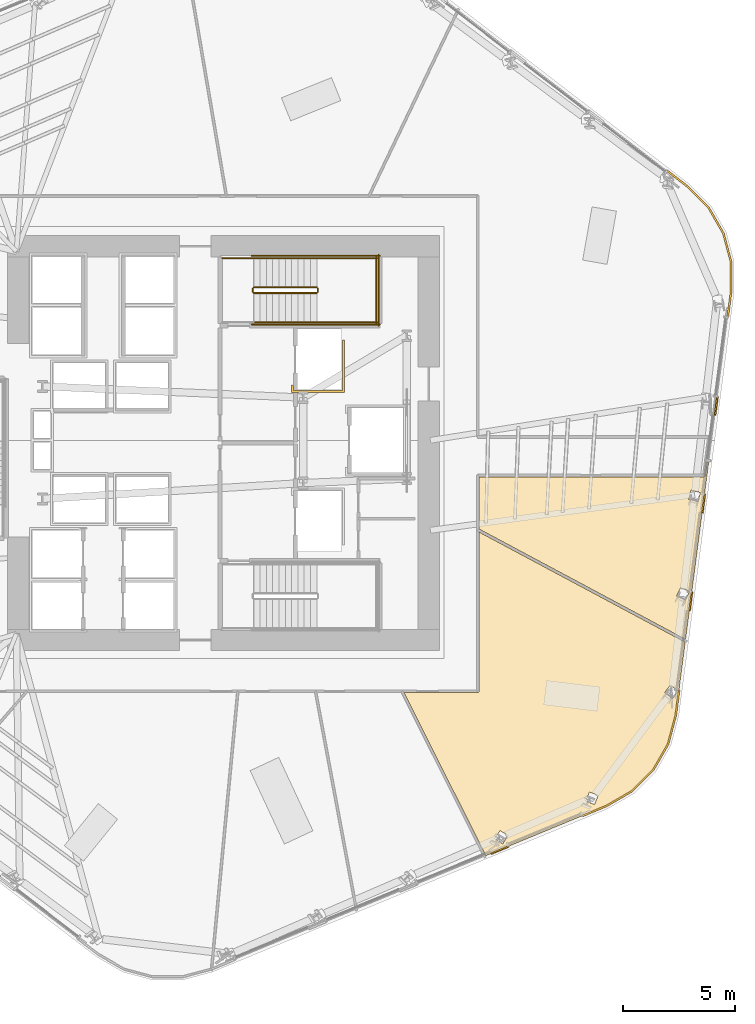
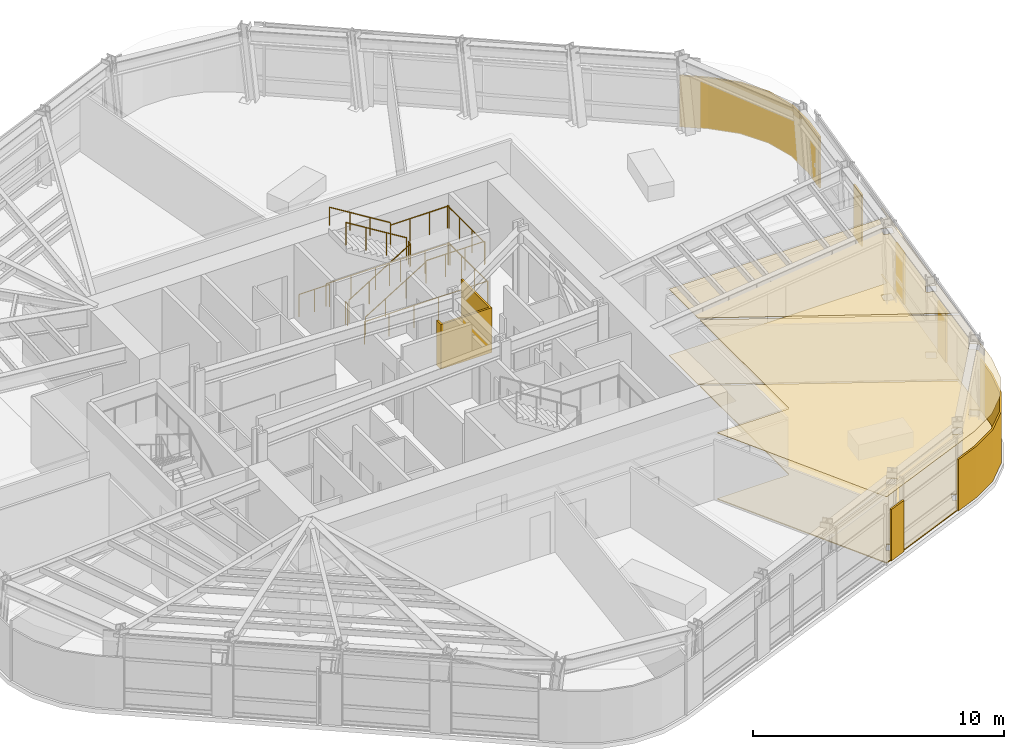
# One storey, part 16 of 18: 13 railings, 11 coverings.
"""IFC4 building model written with IfcOpenShell, lengths in metres."""

from ifc_helpers import new_model, si_unit, direction, frame, origin, origin_2d, place, context, subcontext, project, spatial, polyline, circle, outline, extrude, material, layer, layer_set, type_object, element, save


model = new_model("IFC4")

# Units and contexts
model_context = context("Model", 3, precision=1e-05, world=origin(), true_north=direction((0.0, 1.0)))
body_context = subcontext(model_context, "Body", "Model", "MODEL_VIEW")
ifc_project = project(units=[si_unit("LENGTHUNIT", "METRE"), si_unit("AREAUNIT", "SQUARE_METRE"), si_unit("VOLUMEUNIT", "CUBIC_METRE"), si_unit("PLANEANGLEUNIT", "RADIAN"), si_unit("MASSUNIT", "GRAM", prefix="KILO")], contexts=[model_context])

# Site, building, storey
site_placement = place(None, origin())
site = spatial("IfcSite", under=ifc_project, at=site_placement, CompositionType="ELEMENT")
building_placement = place(site_placement, origin())
building = spatial("IfcBuilding", under=site, at=building_placement, Name="Valkerne Bourse Tower", CompositionType="ELEMENT")
storey_placement = place(building_placement, frame((0.0, 0.0, 120.0)))
storey = spatial("IfcBuildingStorey", under=building, at=storey_placement, Name="L30", CompositionType="ELEMENT", Elevation=120.0)

# Coverings
ifc_material_1 = material(Name="Mineral Fiber Acoustic Ceiling Tile", Category="acoustic")
ifc_layer_1 = layer(ifc_material_1, 0.02490234375)
ifc_layer_set_1 = layer_set([ifc_layer_1], Name="Mineral Fiber Acoustic Ceiling Tile")
covering_type_1 = type_object("IfcCoveringType", Name="COV-CEIL-ACT", PredefinedType="CEILING", material=ifc_layer_set_1)
covering_1_placement = place(storey_placement, frame((0.0, 0.0, 3.22998046875)))
element("IfcCovering", 1, at=covering_1_placement, inside=storey, type_object=covering_type_1, Name="L30 Suspended Ceiling 04", PredefinedType="CEILING", context=body_context, shape_type="SweptSolid", body=[
    extrude(outline(polyline([(58.1689453125, 25.381103515625), (68.164306640625, 25.381103515625), (68.205810546875, 25.398193359375), (68.2275390625, 25.436767578125), (68.306640625, 26.04150390625), (68.373291015625, 26.03466796875), (67.343994140625, 18.15185546875), (58.1689453125, 23.05419921875), (58.1689453125, 25.381103515625)]), holes=[polyline([(67.5146484375, 20.267822265625), (67.127197265625, 20.458984375), (66.943115234375, 20.0869140625), (66.94189453125, 20.083984375), (67.32958984375, 19.892578125), (67.513671875, 20.264892578125), (67.5146484375, 20.267822265625)]), polyline([(68.00341796875, 24.673828125), (68.00390625, 24.6767578125), (67.58544921875, 24.78515625), (67.480712890625, 24.38330078125), (67.48046875, 24.380126953125), (67.898681640625, 24.271728515625), (68.00341796875, 24.673828125)])]), origin(), (0.0, 0.0, 1.0), 0.02490234375),
])
covering_2_placement = place(storey_placement, frame((0.0, 0.0, 3.22998046875)))
element("IfcCovering", 2, at=covering_2_placement, inside=storey, type_object=covering_type_1, Name="L30 Suspended Ceiling 07", PredefinedType="CEILING", context=body_context, shape_type="SweptSolid", body=[
    extrude(outline(polyline([(64.9658203125, 11.411865234375), (63.814697265625, 10.747314453125), (58.46240234375, 8.537109375), (54.8349609375, 15.781005859375), (58.1005859375, 15.781005859375), (58.135986328125, 15.791015625), (58.16259765625, 15.82080078125), (58.1689453125, 15.849609375), (58.1689453125, 22.92041015625), (67.32763671875, 18.02685546875), (66.902587890625, 14.771484375), (66.55859375, 13.48779296875), (65.89892578125, 12.344970703125), (64.9658203125, 11.411865234375)]), holes=[polyline([(59.216796875, 9.06591796875), (59.44970703125, 9.42822265625), (59.10009765625, 9.654541015625), (59.097412109375, 9.65283203125), (58.864501953125, 9.29052734375), (59.21435546875, 9.064208984375), (59.216796875, 9.06591796875)]), polyline([(63.4580078125, 11.21337890625), (63.072021484375, 11.3701171875), (63.069580078125, 11.36767578125), (62.908935546875, 10.96826171875), (63.295166015625, 10.8115234375), (63.29736328125, 10.81396484375), (63.4580078125, 11.21337890625)]), polyline([(67.01318359375, 15.859619140625), (66.66845703125, 16.1201171875), (66.417724609375, 15.789306640625), (66.416015625, 15.78662109375), (66.760986328125, 15.52587890625), (67.01171875, 15.856689453125), (67.01318359375, 15.859619140625)])]), origin(), (0.0, 0.0, 1.0), 0.02490234375),
])
ifc_material_2 = material(Name="Bronze Anodised Aluminium AA 6063-T6", Category="aluminium")
ifc_layer_2 = layer(ifc_material_2, 0.06005859375)
ifc_layer_set_2 = layer_set([ifc_layer_2], Name="Bronze Anodised Aluminium AA 6063-T6")
covering_type_2 = type_object("IfcCoveringType", Name="COV-CRN-ALUM", PredefinedType="CLADDING", material=ifc_layer_set_2)
covering_3_placement = place(storey_placement, origin())
element("IfcCovering", 3, at=covering_3_placement, inside=storey, type_object=covering_type_2, Name="L30 Wind-Shaped Corner Aluminium Cladding 01", PredefinedType="CLADDING", context=body_context, shape_type="SweptSolid", body=[
    extrude(outline(polyline([(66.599609375, 13.470703125), (65.93408203125, 12.31787109375), (64.992919921875, 11.376708984375), (63.834228515625, 10.707763671875), (62.764892578125, 10.26611328125), (62.734375, 10.340087890625), (63.798828125, 10.77978515625), (64.943603515625, 11.440673828125), (65.8701171875, 12.366943359375), (66.525146484375, 13.501708984375), (66.8671875, 14.7783203125), (67.016357421875, 15.92041015625), (67.095703125, 15.909912109375), (66.94580078125, 14.7626953125), (66.599609375, 13.470703125)])), origin(), (0.0, 0.0, 1.0), 2.5),
])
covering_4_placement = place(storey_placement, origin())
element("IfcCovering", 4, at=covering_4_placement, inside=storey, type_object=covering_type_2, Name="L30 Wind-Shaped Corner Aluminium Cladding 02", PredefinedType="CLADDING", context=body_context, shape_type="SweptSolid", body=[
    extrude(outline(polyline([(58.7138671875, 8.59326171875), (58.683349609375, 8.6669921875), (59.459716796875, 8.98779296875), (59.490234375, 8.913818359375), (58.7138671875, 8.59326171875)])), origin(), (0.0, 0.0, 1.0), 2.5),
])
covering_5_placement = place(storey_placement, origin())
element("IfcCovering", 5, at=covering_5_placement, inside=storey, type_object=covering_type_2, Name="L30 Wind-Shaped Corner Aluminium Cladding 21", PredefinedType="CLADDING", context=body_context, shape_type="SweptSolid", body=[
    extrude(outline(polyline([(67.44921875, 38.3193359375), (68.39501953125, 37.373291015625), (69.060546875, 36.220703125), (69.405029296875, 34.934814453125), (69.405029296875, 33.596923828125), (69.2568359375, 32.46142578125), (69.177490234375, 32.471923828125), (69.3251953125, 33.602294921875), (69.3251953125, 34.92431640625), (68.986083984375, 36.189697265625), (68.3310546875, 37.32421875), (67.396240234375, 38.259033203125), (66.49267578125, 38.9541015625), (66.541259765625, 39.017578125), (67.44921875, 38.3193359375)])), origin(), (0.0, 0.0, 1.0), 2.5),
])
covering_6_placement = place(storey_placement, origin())
element("IfcCovering", 6, at=covering_6_placement, inside=storey, type_object=covering_type_2, Name="L30 Wind-Shaped Corner Aluminium Cladding 22", PredefinedType="CLADDING", context=body_context, shape_type="SweptSolid", body=[
    extrude(outline(polyline([(68.689453125, 28.115478515625), (68.610107421875, 28.125732421875), (68.71875, 28.958740234375), (68.798095703125, 28.9482421875), (68.689453125, 28.115478515625)])), origin(), (0.0, 0.0, 1.0), 2.5),
])
covering_7_placement = place(storey_placement, origin())
element("IfcCovering", 7, at=covering_7_placement, inside=storey, type_object=covering_type_2, Name="L30 Wind-Shaped Corner Aluminium Cladding 23", PredefinedType="CLADDING", context=body_context, shape_type="SweptSolid", body=[
    extrude(outline(polyline([(68.121826171875, 23.769287109375), (68.04248046875, 23.77978515625), (68.1513671875, 24.612548828125), (68.230712890625, 24.602294921875), (68.121826171875, 23.769287109375)])), origin(), (0.0, 0.0, 1.0), 2.5),
])
covering_8_placement = place(storey_placement, origin())
element("IfcCovering", 8, at=covering_8_placement, inside=storey, type_object=covering_type_2, Name="L30 Wind-Shaped Corner Aluminium Cladding 24", PredefinedType="CLADDING", context=body_context, shape_type="SweptSolid", body=[
    extrude(outline(polyline([(67.554443359375, 19.423095703125), (67.47509765625, 19.43359375), (67.583740234375, 20.2666015625), (67.6630859375, 20.256103515625), (67.554443359375, 19.423095703125)])), origin(), (0.0, 0.0, 1.0), 2.5),
])
ifc_material_3 = material(Name="Galvanised Painted Steel", Category="steel")
ifc_layer_3 = layer(ifc_material_3, 0.044921875)
ifc_layer_set_3 = layer_set([ifc_layer_3], Name="Galvanised Painted Steel")
covering_type_3 = type_object("IfcCoveringType", Name="COV-FLR-RAF", PredefinedType="FLOORING", material=ifc_layer_set_3)
covering_9_placement = place(storey_placement, origin())
element("IfcCovering", 9, at=covering_9_placement, inside=storey, type_object=covering_type_3, Name="L30 Floor Finish 07", PredefinedType="FLOORING", context=body_context, shape_type="SweptSolid", body=[
    extrude(outline(polyline([(64.9658203125, 11.411865234375), (63.814697265625, 10.747314453125), (58.46240234375, 8.537109375), (54.8349609375, 15.781005859375), (58.1005859375, 15.781005859375), (58.135986328125, 15.791015625), (58.16259765625, 15.82080078125), (58.1689453125, 15.849609375), (58.1689453125, 22.92041015625), (67.32763671875, 18.02685546875), (66.902587890625, 14.771484375), (66.55859375, 13.48779296875), (65.89892578125, 12.344970703125), (64.9658203125, 11.411865234375)]), holes=[polyline([(59.216796875, 9.06591796875), (59.44970703125, 9.42822265625), (59.10009765625, 9.654541015625), (59.097412109375, 9.65283203125), (58.864501953125, 9.29052734375), (59.21435546875, 9.064208984375), (59.216796875, 9.06591796875)]), polyline([(63.4580078125, 11.21337890625), (63.072021484375, 11.3701171875), (63.069580078125, 11.36767578125), (62.908935546875, 10.96826171875), (63.295166015625, 10.8115234375), (63.29736328125, 10.81396484375), (63.4580078125, 11.21337890625)]), polyline([(67.01318359375, 15.859619140625), (66.66845703125, 16.1201171875), (66.417724609375, 15.789306640625), (66.416015625, 15.78662109375), (66.760986328125, 15.52587890625), (67.01171875, 15.856689453125), (67.01318359375, 15.859619140625)])]), origin(), (0.0, 0.0, 1.0), 0.044921875),
])
ifc_material_4 = material(Name="Polished Granite Stone", Category="masonry")
ifc_layer_4 = layer(ifc_material_4, 0.030029296875)
ifc_layer_set_4 = layer_set([ifc_layer_4], Name="Polished Granite Stone")
covering_type_4 = type_object("IfcCoveringType", Name="COV-FLR-TERRAZZO", PredefinedType="FLOORING", material=ifc_layer_set_4)
covering_10_placement = place(storey_placement, origin())
element("IfcCovering", 10, at=covering_10_placement, inside=storey, type_object=covering_type_4, Name="L30 Floor Finish 04", PredefinedType="FLOORING", context=body_context, shape_type="SweptSolid", body=[
    extrude(outline(polyline([(58.1689453125, 25.381103515625), (68.164306640625, 25.381103515625), (68.205810546875, 25.398193359375), (68.2275390625, 25.436767578125), (68.306640625, 26.04150390625), (68.373291015625, 26.03466796875), (67.343994140625, 18.15185546875), (58.1689453125, 23.05419921875), (58.1689453125, 25.381103515625)]), holes=[polyline([(67.5146484375, 20.267822265625), (67.127197265625, 20.458984375), (66.943115234375, 20.0869140625), (66.94189453125, 20.083984375), (67.32958984375, 19.892578125), (67.513671875, 20.264892578125), (67.5146484375, 20.267822265625)]), polyline([(68.00341796875, 24.673828125), (68.00390625, 24.6767578125), (67.58544921875, 24.78515625), (67.480712890625, 24.38330078125), (67.48046875, 24.380126953125), (67.898681640625, 24.271728515625), (68.00341796875, 24.673828125)])]), origin(), (0.0, 0.0, 1.0), 0.030029296875),
])
ifc_material_5 = material(Name="Gypsum Shaftwall Liner Board", Category="gypsum")
ifc_layer_5 = layer(ifc_material_5, 0.080078125)
ifc_layer_set_5 = layer_set([ifc_layer_5], Name="Gypsum Shaftwall Liner Board")
covering_type_5 = type_object("IfcCoveringType", Name="COV-SHF-CLAD", PredefinedType="CLADDING", material=ifc_layer_set_5)
covering_11_placement = place(storey_placement, origin())
element("IfcCovering", 11, at=covering_11_placement, inside=storey, type_object=covering_type_5, Name="L30 Hoistway & Riser Shaftwall Liner 10", PredefinedType="CLADDING", context=body_context, shape_type="SweptSolid", body=[
    extrude(outline(polyline([(49.820068359375, 29.1201171875), (49.820068359375, 29.468017578125), (49.827880859375, 29.46435546875), (49.869384765625, 29.449462890625), (49.909912109375, 29.439208984375), (49.909912109375, 29.2099609375), (52.090087890625, 29.2099609375), (52.090087890625, 31.449951171875), (52.179931640625, 31.449951171875), (52.179931640625, 29.1201171875), (49.820068359375, 29.1201171875)])), origin(), (0.0, 0.0, 1.0), 2.179931640625),
])

# Railings
railing_type_1 = type_object("IfcRailingType", Name="RLG-ST-GUARD-1120", PredefinedType="GUARDRAIL", material=ifc_material_3)
railing_1_placement = place(storey_placement, frame((48.14990234375, 33.550048828125, 0.172607421875)))
element("IfcRailing", 12, at=railing_1_placement, inside=storey, type_object=railing_type_1, Name="L30 ST-2 stair guard 1", PredefinedType="GUARDRAIL", context=body_context, shape_type="SweptSolid", body=[
    extrude(circle(Radius=0.02392578125, at=origin_2d()), frame((0.0, 0.0, 1.09619140625), z_axis=(0.851089632645, 0.0, 0.525020415988), x_axis=(0.0, 1.0, 0.0)), (0.0, 0.0, 1.0), 3.2900390625),
    extrude(circle(Radius=0.02099609375, at=origin_2d()), origin(), (0.0, 0.0, 1.0), 1.072021484375),
    extrude(circle(Radius=0.02099609375, at=origin_2d()), frame((0.933349609375, 0.0, 0.57568359375)), (0.0, 0.0, 1.0), 1.072021484375),
    extrude(circle(Radius=0.02099609375, at=origin_2d()), frame((1.86669921875, 0.0, 1.151611328125)), (0.0, 0.0, 1.0), 1.072021484375),
    extrude(circle(Radius=0.02099609375, at=origin_2d()), frame((2.800048828125, 0.0, 1.727294921875)), (0.0, 0.0, 1.0), 1.072021484375),
])
railing_2_placement = place(storey_placement, frame((51.0, 33.60009765625, 1.89990234375)))
element("IfcRailing", 13, at=railing_2_placement, inside=storey, type_object=railing_type_1, Name="L30 ST-2 stair guard 2", PredefinedType="GUARDRAIL", context=body_context, shape_type="SweptSolid", body=[
    extrude(circle(Radius=0.02392578125, at=origin_2d()), frame((0.0, 0.0, 1.09619140625), z_axis=(0.0, 1.0, 0.0), x_axis=(-1.0, 0.0, 0.0)), (0.0, 0.0, 1.0), 0.14990234375),
    extrude(circle(Radius=0.02099609375, at=origin_2d()), origin(), (0.0, 0.0, 1.0), 1.072021484375),
    extrude(circle(Radius=0.02099609375, at=origin_2d()), frame((0.0, 0.14990234375, 0.0)), (0.0, 0.0, 1.0), 1.072021484375),
])
for number, where, name in (
    (14, (50.949951171875, 32.25, 1.89990234375), "L30 ST-2 stair guard 3"),
    (15, (50.949951171875, 35.10009765625, 1.89990234375), "L30 ST-2 stair guard 4"),
):
    element("IfcRailing", number, at=place(storey_placement, frame(where)), inside=storey, type_object=railing_type_1, Name=name, PredefinedType="GUARDRAIL", context=body_context, shape_type="SweptSolid", body=[
        extrude(circle(Radius=0.02392578125, at=origin_2d()), frame((0.0, 0.0, 1.09619140625), z_axis=(1.0, 0.0, 0.0), x_axis=(0.0, 1.0, 0.0)), (0.0, 0.0, 1.0), 2.699951171875),
        extrude(circle(Radius=0.02099609375, at=origin_2d()), origin(), (0.0, 0.0, 1.0), 1.072021484375),
        extrude(circle(Radius=0.02099609375, at=origin_2d()), frame((0.89990234375, 0.0, 0.0)), (0.0, 0.0, 1.0), 1.072021484375),
        extrude(circle(Radius=0.02099609375, at=origin_2d()), frame((1.800048828125, 0.0, 0.0)), (0.0, 0.0, 1.0), 1.072021484375),
        extrude(circle(Radius=0.02099609375, at=origin_2d()), frame((2.699951171875, 0.0, 0.0)), (0.0, 0.0, 1.0), 1.072021484375),
    ])
railing_3_placement = place(storey_placement, frame((53.60009765625, 32.199951171875, 1.89990234375)))
element("IfcRailing", 16, at=railing_3_placement, inside=storey, type_object=railing_type_1, Name="L30 ST-2 stair guard 5", PredefinedType="GUARDRAIL", context=body_context, shape_type="SweptSolid", body=[
    extrude(circle(Radius=0.02392578125, at=origin_2d()), frame((0.0, 0.0, 1.09619140625), z_axis=(0.0, 1.0, 0.0), x_axis=(-1.0, 0.0, 0.0)), (0.0, 0.0, 1.0), 2.949951171875),
    extrude(circle(Radius=0.02099609375, at=origin_2d()), origin(), (0.0, 0.0, 1.0), 1.072021484375),
    extrude(circle(Radius=0.02099609375, at=origin_2d()), frame((0.0, 0.9833984375, 0.0)), (0.0, 0.0, 1.0), 1.072021484375),
    extrude(circle(Radius=0.02099609375, at=origin_2d()), frame((0.0, 1.966552734375, 0.0)), (0.0, 0.0, 1.0), 1.072021484375),
    extrude(circle(Radius=0.02099609375, at=origin_2d()), frame((0.0, 2.949951171875, 0.0)), (0.0, 0.0, 1.0), 1.072021484375),
])
railing_4_placement = place(storey_placement, frame((50.949951171875, 33.800048828125, 2.07275390625)))
element("IfcRailing", 17, at=railing_4_placement, inside=storey, type_object=railing_type_1, Name="L30 ST-2 stair guard 6", PredefinedType="GUARDRAIL", context=body_context, shape_type="SweptSolid", body=[
    extrude(circle(Radius=0.02392578125, at=origin_2d()), frame((0.0, 0.0, 1.09619140625), z_axis=(-0.851089632645, 0.0, 0.525020415988), x_axis=(0.0, -1.0, 0.0)), (0.0, 0.0, 1.0), 3.2900390625),
    extrude(circle(Radius=0.02099609375, at=origin_2d()), origin(), (0.0, 0.0, 1.0), 1.072021484375),
    extrude(circle(Radius=0.02099609375, at=origin_2d()), frame((-0.933349609375, 0.0, 0.57568359375)), (0.0, 0.0, 1.0), 1.072021484375),
    extrude(circle(Radius=0.02099609375, at=origin_2d()), frame((-1.86669921875, 0.0, 1.151611328125)), (0.0, 0.0, 1.0), 1.072021484375),
    extrude(circle(Radius=0.02099609375, at=origin_2d()), frame((-2.800048828125, 0.0, 1.727294921875)), (0.0, 0.0, 1.0), 1.072021484375),
])
railing_5_placement = place(storey_placement, frame((48.10009765625, 33.60009765625, 0.0)))
element("IfcRailing", 18, at=railing_5_placement, inside=storey, type_object=railing_type_1, Name="L30 ST-2 stair guard 7", PredefinedType="GUARDRAIL", context=body_context, shape_type="SweptSolid", body=[
    extrude(circle(Radius=0.02392578125, at=origin_2d()), frame((0.0, 0.0, 1.09619140625), z_axis=(0.0, 1.0, 0.0), x_axis=(-1.0, 0.0, 0.0)), (0.0, 0.0, 1.0), 0.14990234375),
    extrude(circle(Radius=0.02099609375, at=origin_2d()), origin(), (0.0, 0.0, 1.0), 1.072021484375),
    extrude(circle(Radius=0.02099609375, at=origin_2d()), frame((0.0, 0.14990234375, 0.0)), (0.0, 0.0, 1.0), 1.072021484375),
])
railing_6_placement = place(storey_placement, frame((46.75, 35.10009765625, 0.0)))
element("IfcRailing", 19, at=railing_6_placement, inside=storey, type_object=railing_type_1, Name="L30 ST-2 stair guard 9", PredefinedType="GUARDRAIL", context=body_context, shape_type="SweptSolid", body=[
    extrude(circle(Radius=0.02392578125, at=origin_2d()), frame((0.0, 0.0, 1.09619140625), z_axis=(1.0, 0.0, 0.0), x_axis=(0.0, 1.0, 0.0)), (0.0, 0.0, 1.0), 1.39990234375),
    extrude(circle(Radius=0.02099609375, at=origin_2d()), origin(), (0.0, 0.0, 1.0), 1.072021484375),
    extrude(circle(Radius=0.02099609375, at=origin_2d()), frame((0.699951171875, 0.0, 0.0)), (0.0, 0.0, 1.0), 1.072021484375),
    extrude(circle(Radius=0.02099609375, at=origin_2d()), frame((1.39990234375, 0.0, 0.0)), (0.0, 0.0, 1.0), 1.072021484375),
])
for number, where, name in (
    (20, (48.050048828125, 32.14990234375, 0.0), "L30 ST-2 stair guard 10"),
    (21, (48.050048828125, 35.199951171875, 0.0), "L30 ST-2 stair guard 11"),
):
    element("IfcRailing", number, at=place(storey_placement, frame(where)), inside=storey, type_object=railing_type_1, Name=name, PredefinedType="GUARDRAIL", context=body_context, shape_type="SweptSolid", body=[
        extrude(circle(Radius=0.02392578125, at=origin_2d()), frame((0.0, 0.0, 1.09619140625), z_axis=(1.0, 0.0, 0.0), x_axis=(0.0, 1.0, 0.0)), (0.0, 0.0, 1.0), 5.699951171875),
        extrude(circle(Radius=0.02099609375, at=origin_2d()), origin(), (0.0, 0.0, 1.0), 1.072021484375),
        extrude(circle(Radius=0.02099609375, at=origin_2d()), frame((1.139892578125, 0.0, 0.0)), (0.0, 0.0, 1.0), 1.072021484375),
        extrude(circle(Radius=0.02099609375, at=origin_2d()), frame((2.280029296875, 0.0, 0.0)), (0.0, 0.0, 1.0), 1.072021484375),
        extrude(circle(Radius=0.02099609375, at=origin_2d()), frame((3.419921875, 0.0, 0.0)), (0.0, 0.0, 1.0), 1.072021484375),
        extrude(circle(Radius=0.02099609375, at=origin_2d()), frame((4.56005859375, 0.0, 0.0)), (0.0, 0.0, 1.0), 1.072021484375),
        extrude(circle(Radius=0.02099609375, at=origin_2d()), frame((5.699951171875, 0.0, 0.0)), (0.0, 0.0, 1.0), 1.072021484375),
    ])
railing_7_placement = place(storey_placement, frame((53.699951171875, 32.10009765625, 0.0)))
element("IfcRailing", 22, at=railing_7_placement, inside=storey, type_object=railing_type_1, Name="L30 ST-2 stair guard 12", PredefinedType="GUARDRAIL", context=body_context, shape_type="SweptSolid", body=[
    extrude(circle(Radius=0.02392578125, at=origin_2d()), frame((0.0, 0.0, 1.09619140625), z_axis=(0.0, 1.0, 0.0), x_axis=(-1.0, 0.0, 0.0)), (0.0, 0.0, 1.0), 3.14990234375),
    extrude(circle(Radius=0.02099609375, at=origin_2d()), origin(), (0.0, 0.0, 1.0), 1.072021484375),
    extrude(circle(Radius=0.02099609375, at=origin_2d()), frame((0.0, 1.050048828125, 0.0)), (0.0, 0.0, 1.0), 1.072021484375),
    extrude(circle(Radius=0.02099609375, at=origin_2d()), frame((0.0, 2.099853515625, 0.0)), (0.0, 0.0, 1.0), 1.072021484375),
    extrude(circle(Radius=0.02099609375, at=origin_2d()), frame((0.0, 3.14990234375, 0.0)), (0.0, 0.0, 1.0), 1.072021484375),
])
ifc_material_6 = material(Name="Stainless Steel AISI 316", Category="steel")
railing_type_2 = type_object("IfcRailingType", Name="RLG-ST-HANDRAIL-900", PredefinedType="HANDRAIL", material=ifc_material_6)
railing_8_placement = place(storey_placement, frame((48.14990234375, 32.25, 0.345458984375)))
element("IfcRailing", 23, at=railing_8_placement, inside=storey, type_object=railing_type_2, Name="L30 ST-2 stair handrail 1", PredefinedType="HANDRAIL", context=body_context, shape_type="SweptSolid", body=[
    extrude(circle(Radius=0.02392578125, at=origin_2d()), frame((0.0, 0.0, 0.8759765625), z_axis=(0.851089632645, 0.0, 0.525020415988), x_axis=(0.0, 1.0, 0.0)), (0.0, 0.0, 1.0), 3.2900390625),
    extrude(circle(Radius=0.02099609375, at=origin_2d()), origin(), (0.0, 0.0, 1.0), 0.851806640625),
    extrude(circle(Radius=0.02099609375, at=origin_2d()), frame((0.933349609375, 0.0, 0.57568359375)), (0.0, 0.0, 1.0), 0.851806640625),
    extrude(circle(Radius=0.02099609375, at=origin_2d()), frame((1.86669921875, 0.0, 1.151611328125)), (0.0, 0.0, 1.0), 0.851806640625),
    extrude(circle(Radius=0.02099609375, at=origin_2d()), frame((2.800048828125, 0.0, 1.727294921875)), (0.0, 0.0, 1.0), 0.851806640625),
])
railing_9_placement = place(storey_placement, frame((50.949951171875, 35.10009765625, 2.245361328125)))
element("IfcRailing", 24, at=railing_9_placement, inside=storey, type_object=railing_type_2, Name="L30 ST-2 stair handrail 2", PredefinedType="HANDRAIL", context=body_context, shape_type="SweptSolid", body=[
    extrude(circle(Radius=0.02392578125, at=origin_2d()), frame((0.0, 0.0, 0.8759765625), z_axis=(-0.851089632645, 0.0, 0.525020415988), x_axis=(0.0, -1.0, 0.0)), (0.0, 0.0, 1.0), 3.2900390625),
    extrude(circle(Radius=0.02099609375, at=origin_2d()), origin(), (0.0, 0.0, 1.0), 0.851806640625),
    extrude(circle(Radius=0.02099609375, at=origin_2d()), frame((-0.933349609375, 0.0, 0.57568359375)), (0.0, 0.0, 1.0), 0.851806640625),
    extrude(circle(Radius=0.02099609375, at=origin_2d()), frame((-1.86669921875, 0.0, 1.151611328125)), (0.0, 0.0, 1.0), 0.851806640625),
    extrude(circle(Radius=0.02099609375, at=origin_2d()), frame((-2.800048828125, 0.0, 1.727294921875)), (0.0, 0.0, 1.0), 0.851806640625),
])

save(model, "model.ifc")
